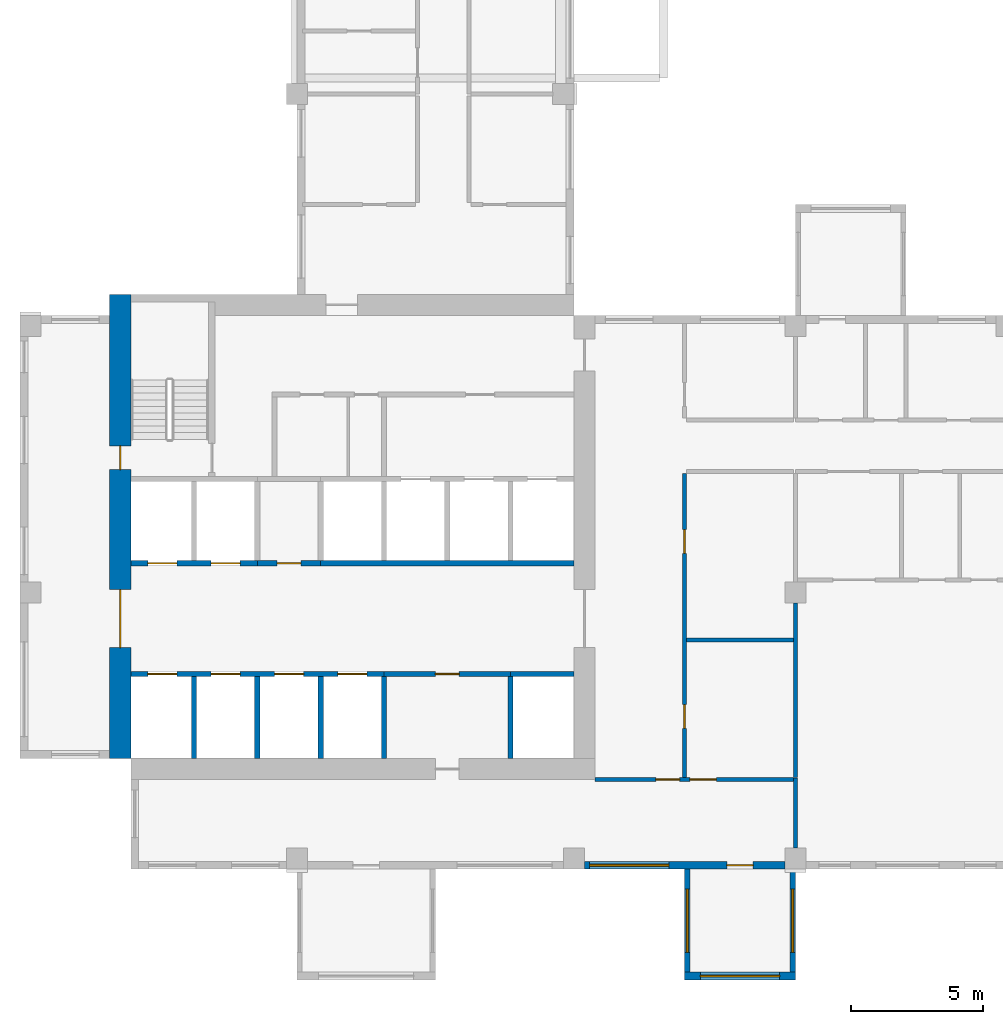
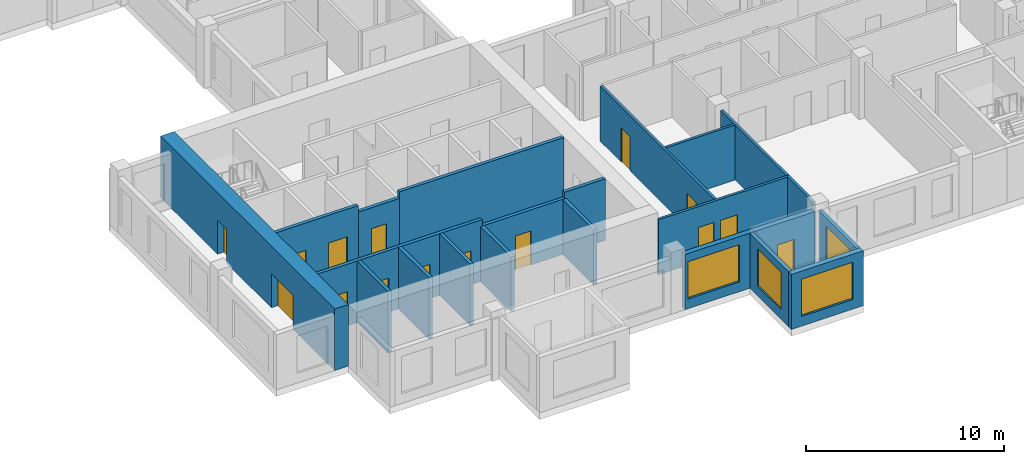
# One storey, part 2 of 12: 21 walls, 15 doors, 4 windows, 19 openings.
"""IFC4 building model written with IfcOpenShell, lengths in metres."""

from ifc_helpers import new_model, si_unit, direction, frame, frame_2d, origin, place, context, subcontext, project, spatial, rectangle, extrude, source, transform, mapped, material, layer, layer_set, type_object, element, fill, save


model = new_model("IFC4")

# Units and contexts
model_context = context("Model", 3, precision=1e-05, world=origin(), true_north=direction((0.0, 1.0)))
body_context = subcontext(model_context, "Body", "Model", "MODEL_VIEW")
ifc_project = project(units=[si_unit("LENGTHUNIT", "METRE"), si_unit("AREAUNIT", "SQUARE_METRE"), si_unit("VOLUMEUNIT", "CUBIC_METRE"), si_unit("PLANEANGLEUNIT", "RADIAN"), si_unit("MASSUNIT", "GRAM", prefix="KILO")], contexts=[model_context])

# Site, building, storey
site_placement = place(None, origin())
site = spatial("IfcSite", under=ifc_project, at=site_placement, CompositionType="ELEMENT")
building_placement = place(site_placement, origin())
building = spatial("IfcBuilding", under=site, at=building_placement, Name="Aurelian Terraces", CompositionType="ELEMENT")
storey_placement = place(building_placement, frame((0.0, 0.0, 234.8)))
storey = spatial("IfcBuildingStorey", under=building, at=storey_placement, Name="L53", CompositionType="ELEMENT", Elevation=234.8)

# Wall, openings, doors
ifc_material_1 = material(Name="Concrete fc' 70 MPa", Category="concrete")
ifc_layer_1 = layer(ifc_material_1, 0.8)
ifc_layer_set_1 = layer_set([ifc_layer_1], Name="CORE WALL 800 FC70")
wall_type_1 = type_object("IfcWallType", Name="CORE WALL 800 FC70", PredefinedType="SHEAR", material=ifc_layer_set_1)
shared_shape_1 = source(origin(), body_context, "Body", "SweptSolid", [
    extrude(rectangle(XDim=17.6, YDim=0.8, at=frame_2d((8.8, 0.0))), origin(), (0.0, 0.0, 1.0), 3.8),
])
wall_1_placement = place(storey_placement, frame((3.8, 4.2, 0.0), z_axis=(0.0, 0.0, 1.0), x_axis=(0.0, 1.0, 0.0)))
wall_1 = element("IfcWall", 1, at=wall_1_placement, inside=storey, type_object=wall_type_1, Name="Core wall W L53", PredefinedType="SHEAR", context=body_context, shape_type="MappedRepresentation", body=[
    mapped(shared_shape_1, transform((0.0, 0.0, 0.0), scale=1.0)),
])
shared_shape_2 = source(origin(), body_context, "Body", "SweptSolid", [
    extrude(rectangle(XDim=2.2, YDim=2.1, at=frame_2d((1.1, 1.05))), frame((0.0, 0.41, 0.0), z_axis=(0.0, -1.0, 0.0), x_axis=(1.0, 0.0, 0.0)), (0.0, 0.0, 1.0), 0.82),
])
opening_1_placement = place(wall_1_placement, frame((4.2, 0.0, 0.0)))
opening_1 = element("IfcOpeningElement", 2, at=opening_1_placement, cuts=wall_1, Name="Opening 65622", PredefinedType="OPENING", context=body_context, shape_type="MappedRepresentation", body=[
    mapped(shared_shape_2, transform((0.0, 0.0, 0.0), scale=1.0)),
])
shared_shape_3 = source(origin(), body_context, "Body", "SweptSolid", [
    extrude(rectangle(XDim=0.9, YDim=2.1, at=frame_2d((0.45, 1.05))), frame((0.0, 0.41, 0.0), z_axis=(0.0, -1.0, 0.0), x_axis=(1.0, 0.0, 0.0)), (0.0, 0.0, 1.0), 0.82),
])
opening_2_placement = place(wall_1_placement, frame((10.95, 0.0, 0.0)))
opening_2 = element("IfcOpeningElement", 3, at=opening_2_placement, cuts=wall_1, Name="Opening 65626", PredefinedType="OPENING", context=body_context, shape_type="MappedRepresentation", body=[
    mapped(shared_shape_3, transform((0.0, 0.0, 0.0), scale=1.0)),
])
ifc_material_2 = material(Name="Steel door leaf", Category="steel")
door_type_1 = type_object("IfcDoorType", Name="Core service door 900x2100 right", OperationType="SINGLE_SWING_RIGHT", PredefinedType="DOOR", material=ifc_material_2)
shared_shape_4 = source(origin(), body_context, "Body", "SweptSolid", [
    extrude(rectangle(XDim=0.9, YDim=2.1, at=frame_2d((0.45, 1.05))), frame((0.0, 0.025, 0.0), z_axis=(0.0, -1.0, 0.0), x_axis=(1.0, 0.0, 0.0)), (0.0, 0.0, 1.0), 0.05),
])
door_1_placement = place(opening_2_placement, origin())
door_1 = element("IfcDoor", 4, at=door_1_placement, inside=storey, type_object=door_type_1, Name="Core door 65626", OperationType="SINGLE_SWING_RIGHT", OverallHeight=2.1, OverallWidth=0.9, PredefinedType="DOOR", context=body_context, shape_type="MappedRepresentation", body=[
    mapped(shared_shape_4, transform((0.0, 0.0, 0.0), scale=1.0)),
])
fill(opening_2, door_1)
door_type_2 = type_object("IfcDoorType", Name="Core double door 2200x2100", OperationType="DOUBLE_DOOR_SINGLE_SWING", PredefinedType="DOOR", material=ifc_material_2)
shared_shape_5 = source(origin(), body_context, "Body", "SweptSolid", [
    extrude(rectangle(XDim=2.2, YDim=2.1, at=frame_2d((1.1, 1.05))), frame((0.0, 0.025, 0.0), z_axis=(0.0, -1.0, 0.0), x_axis=(1.0, 0.0, 0.0)), (0.0, 0.0, 1.0), 0.05),
])
door_2_placement = place(opening_1_placement, origin())
door_2 = element("IfcDoor", 5, at=door_2_placement, inside=storey, type_object=door_type_2, Name="Core door 65622", OperationType="DOUBLE_DOOR_SINGLE_SWING", OverallHeight=2.1, OverallWidth=2.2, PredefinedType="DOOR", context=body_context, shape_type="MappedRepresentation", body=[
    mapped(shared_shape_5, transform((0.0, 0.0, 0.0), scale=1.0)),
])
fill(opening_1, door_2)

# Wall, opening, window
ifc_material_3 = material(Name="Concrete fc' 40 MPa", Category="concrete")
ifc_layer_2 = layer(ifc_material_3, 0.2)
ifc_layer_set_2 = layer_set([ifc_layer_2], Name="BOX BEARING WALL 200")
wall_type_2 = type_object("IfcWallType", Name="BOX BEARING WALL 200", PredefinedType="SOLIDWALL", material=ifc_layer_set_2)
shared_shape_6 = source(origin(), body_context, "Body", "SweptSolid", [
    extrude(rectangle(XDim=3.9, YDim=0.2, at=frame_2d((1.95, 0.0))), origin(), (0.0, 0.0, 1.0), 3.4),
])
wall_2_placement = place(storey_placement, frame((25.3, 0.0, 0.0), z_axis=(0.0, 0.0, 1.0), x_axis=(0.0, -1.0, 0.0)))
wall_2 = element("IfcWall", 6, at=wall_2_placement, inside=storey, type_object=wall_type_2, Name="Box return L53 J76.1", PredefinedType="SOLIDWALL", context=body_context, shape_type="MappedRepresentation", body=[
    mapped(shared_shape_6, transform((0.0, 0.0, 0.0), scale=1.0)),
])
shared_shape_7 = source(origin(), body_context, "Body", "SweptSolid", [
    extrude(rectangle(XDim=2.4, YDim=2.3, at=frame_2d((1.2, 1.15))), frame((0.0, 0.11, 0.0), z_axis=(0.0, -1.0, 0.0), x_axis=(1.0, 0.0, 0.0)), (0.0, 0.0, 1.0), 0.22),
])
opening_3_placement = place(wall_2_placement, frame((0.75, 0.0, 0.6)))
opening_3 = element("IfcOpeningElement", 7, at=opening_3_placement, cuts=wall_2, Name="Opening W2423", PredefinedType="OPENING", context=body_context, shape_type="MappedRepresentation", body=[
    mapped(shared_shape_7, transform((0.0, 0.0, 0.0), scale=1.0)),
])
ifc_material_4 = material(Name="Clear glazing", Category="glass")
window_type_1 = type_object("IfcWindowType", Name="W-2400x2300", PartitioningType="SINGLE_PANEL", PredefinedType="WINDOW", material=ifc_material_4)
shared_shape_8 = source(origin(), body_context, "Body", "SweptSolid", [
    extrude(rectangle(XDim=2.4, YDim=2.3, at=frame_2d((1.2, 1.15))), frame((0.0, 0.03, 0.0), z_axis=(0.0, -1.0, 0.0), x_axis=(1.0, 0.0, 0.0)), (0.0, 0.0, 1.0), 0.06),
])
window_1_placement = place(opening_3_placement, origin())
window_1 = element("IfcWindow", 8, at=window_1_placement, inside=storey, type_object=window_type_1, Name="Window L53 J76-S1", OverallHeight=2.3, OverallWidth=2.4, PartitioningType="SINGLE_PANEL", PredefinedType="WINDOW", context=body_context, shape_type="MappedRepresentation", body=[
    mapped(shared_shape_8, transform((0.0, 0.0, 0.0), scale=1.0)),
])
fill(opening_3, window_1)

wall_3_placement = place(storey_placement, frame((29.3, 0.0, 0.0), z_axis=(0.0, 0.0, 1.0), x_axis=(0.0, -1.0, 0.0)))
wall_3 = element("IfcWall", 9, at=wall_3_placement, inside=storey, type_object=wall_type_2, Name="Box return L53 J76.2", PredefinedType="SOLIDWALL", context=body_context, shape_type="MappedRepresentation", body=[
    mapped(shared_shape_6, transform((0.0, 0.0, 0.0), scale=1.0)),
])
opening_4_placement = place(wall_3_placement, frame((0.75, 0.0, 0.6)))
opening_4 = element("IfcOpeningElement", 10, at=opening_4_placement, cuts=wall_3, Name="Opening W2423", PredefinedType="OPENING", context=body_context, shape_type="MappedRepresentation", body=[
    mapped(shared_shape_7, transform((0.0, 0.0, 0.0), scale=1.0)),
])
window_2_placement = place(opening_4_placement, origin())
window_2 = element("IfcWindow", 11, at=window_2_placement, inside=storey, type_object=window_type_1, Name="Window L53 J76-S2", OverallHeight=2.3, OverallWidth=2.4, PartitioningType="SINGLE_PANEL", PredefinedType="WINDOW", context=body_context, shape_type="MappedRepresentation", body=[
    mapped(shared_shape_8, transform((0.0, 0.0, 0.0), scale=1.0)),
])
fill(opening_4, window_2)

ifc_layer_3 = layer(ifc_material_3, 0.3)
ifc_layer_set_3 = layer_set([ifc_layer_3], Name="BOX BEARING WALL 300")
wall_type_3 = type_object("IfcWallType", Name="BOX BEARING WALL 300", PredefinedType="SOLIDWALL", material=ifc_layer_set_3)
shared_shape_9 = source(origin(), body_context, "Body", "SweptSolid", [
    extrude(rectangle(XDim=4.2, YDim=0.3, at=frame_2d((2.1, 0.0))), origin(), (0.0, 0.0, 1.0), 3.4),
])
wall_4_placement = place(storey_placement, frame((25.2, -4.05, 0.0), z_axis=(0.0, 0.0, 1.0), x_axis=(1.0, 0.0, 0.0)))
wall_4 = element("IfcWall", 12, at=wall_4_placement, inside=storey, type_object=wall_type_3, Name="Box wall L53 J76", PredefinedType="SOLIDWALL", context=body_context, shape_type="MappedRepresentation", body=[
    mapped(shared_shape_9, transform((0.0, 0.0, 0.0), scale=1.0)),
])
shared_shape_10 = source(origin(), body_context, "Body", "SweptSolid", [
    extrude(rectangle(XDim=3.0, YDim=2.3, at=frame_2d((1.5, 1.15))), frame((0.0, 0.16, 0.0), z_axis=(0.0, -1.0, 0.0), x_axis=(1.0, 0.0, 0.0)), (0.0, 0.0, 1.0), 0.32),
])
opening_5_placement = place(wall_4_placement, frame((0.6, 0.0, 0.6)))
opening_5 = element("IfcOpeningElement", 13, at=opening_5_placement, cuts=wall_4, Name="Opening W3023", PredefinedType="OPENING", context=body_context, shape_type="MappedRepresentation", body=[
    mapped(shared_shape_10, transform((0.0, 0.0, 0.0), scale=1.0)),
])
window_type_2 = type_object("IfcWindowType", Name="W-3000x2300", PartitioningType="SINGLE_PANEL", PredefinedType="WINDOW", material=ifc_material_4)
shared_shape_11 = source(origin(), body_context, "Body", "SweptSolid", [
    extrude(rectangle(XDim=3.0, YDim=2.3, at=frame_2d((1.5, 1.15))), frame((0.0, 0.03, 0.0), z_axis=(0.0, -1.0, 0.0), x_axis=(1.0, 0.0, 0.0)), (0.0, 0.0, 1.0), 0.06),
])
window_3_placement = place(opening_5_placement, origin())
window_3 = element("IfcWindow", 14, at=window_3_placement, inside=storey, type_object=window_type_2, Name="Window L53 J76-F1", OverallHeight=2.3, OverallWidth=3.0, PartitioningType="SINGLE_PANEL", PredefinedType="WINDOW", context=body_context, shape_type="MappedRepresentation", body=[
    mapped(shared_shape_11, transform((0.0, 0.0, 0.0), scale=1.0)),
])
fill(opening_5, window_3)

# Wall, openings, window, door
ifc_material_5 = material(Name="Terracotta rainscreen cladding", Category="masonry")
ifc_layer_4 = layer(ifc_material_5, 0.3)
ifc_layer_set_4 = layer_set([ifc_layer_4], Name="EW-300")
wall_type_4 = type_object("IfcWallType", Name="EW-300", PredefinedType="STANDARD", material=ifc_layer_set_4)
shared_shape_12 = source(origin(), body_context, "Body", "SweptSolid", [
    extrude(rectangle(XDim=7.6, YDim=0.3, at=frame_2d((3.8, 0.0))), origin(), (0.0, 0.0, 1.0), 3.4),
])
wall_5_placement = place(storey_placement, frame((21.4, 0.15, 0.0), z_axis=(0.0, 0.0, 1.0), x_axis=(1.0, 0.0, 0.0)))
wall_5 = element("IfcWall", 15, at=wall_5_placement, inside=storey, type_object=wall_type_4, Name="External wall L53 F01.3", PredefinedType="STANDARD", context=body_context, shape_type="MappedRepresentation", body=[
    mapped(shared_shape_12, transform((0.0, 0.0, 0.0), scale=1.0)),
])
opening_6_placement = place(wall_5_placement, frame((0.2, 0.0, 0.6)))
opening_6 = element("IfcOpeningElement", 16, at=opening_6_placement, cuts=wall_5, Name="Opening W3023", PredefinedType="OPENING", context=body_context, shape_type="MappedRepresentation", body=[
    mapped(shared_shape_10, transform((0.0, 0.0, 0.0), scale=1.0)),
])
shared_shape_13 = source(origin(), body_context, "Body", "SweptSolid", [
    extrude(rectangle(XDim=1.0, YDim=2.1, at=frame_2d((0.5, 1.05))), frame((0.0, 0.16, 0.0), z_axis=(0.0, -1.0, 0.0), x_axis=(1.0, 0.0, 0.0)), (0.0, 0.0, 1.0), 0.32),
])
opening_7_placement = place(wall_5_placement, frame((5.4, 0.0, 0.0)))
opening_7 = element("IfcOpeningElement", 17, at=opening_7_placement, cuts=wall_5, Name="Opening 853002", PredefinedType="OPENING", context=body_context, shape_type="MappedRepresentation", body=[
    mapped(shared_shape_13, transform((0.0, 0.0, 0.0), scale=1.0)),
])
window_4_placement = place(opening_6_placement, origin())
window_4 = element("IfcWindow", 18, at=window_4_placement, inside=storey, type_object=window_type_2, Name="Window L53 L53-F01-03-0", OverallHeight=2.3, OverallWidth=3.0, PartitioningType="SINGLE_PANEL", PredefinedType="WINDOW", context=body_context, shape_type="MappedRepresentation", body=[
    mapped(shared_shape_11, transform((0.0, 0.0, 0.0), scale=1.0)),
])
fill(opening_6, window_4)
ifc_material_6 = material(Name="Timber door leaf", Category="wood")
door_type_3 = type_object("IfcDoorType", Name="Room door 1000x2100 left", OperationType="SINGLE_SWING_LEFT", PredefinedType="DOOR", material=ifc_material_6)
shared_shape_14 = source(origin(), body_context, "Body", "SweptSolid", [
    extrude(rectangle(XDim=1.0, YDim=2.1, at=frame_2d((0.5, 1.05))), frame((0.0, 0.025, 0.0), z_axis=(0.0, -1.0, 0.0), x_axis=(1.0, 0.0, 0.0)), (0.0, 0.0, 1.0), 0.05),
])
door_3_placement = place(opening_7_placement, origin())
door_3 = element("IfcDoor", 19, at=door_3_placement, inside=storey, type_object=door_type_3, Name="Door 853002", OperationType="SINGLE_SWING_LEFT", OverallHeight=2.1, OverallWidth=1.0, PredefinedType="DOOR", context=body_context, shape_type="MappedRepresentation", body=[
    mapped(shared_shape_14, transform((0.0, 0.0, 0.0), scale=1.0)),
])
fill(opening_7, door_3)

# Walls
ifc_layer_5 = layer(ifc_material_3, 0.2)
ifc_layer_set_5 = layer_set([ifc_layer_5], Name="Lift shaft wall 200")
wall_type_5 = type_object("IfcWallType", Name="Lift shaft wall 200", PredefinedType="SOLIDWALL", material=ifc_layer_set_5)
shared_shape_15 = source(origin(), body_context, "Body", "SweptSolid", [
    extrude(rectangle(XDim=3.1, YDim=0.2, at=frame_2d((1.55, 0.0))), origin(), (0.0, 0.0, 1.0), 3.8),
])
for number, where, z_axis, x_axis, name in (
    (20, (6.6, 4.2, 0.0), (0.0, 0.0, 1.0), (0.0, 1.0, 0.0), "L53 core wall CD-A1"),
    (21, (9.0, 4.2, 0.0), (0.0, 0.0, 1.0), (0.0, 1.0, 0.0), "L53 core wall CD-A2"),
    (22, (11.4, 4.2, 0.0), (0.0, 0.0, 1.0), (0.0, 1.0, 0.0), "L53 core wall CD-A3"),
):
    element("IfcWall", number, at=place(storey_placement, frame(where, z_axis=z_axis, x_axis=x_axis)), inside=storey, type_object=wall_type_5, Name=name, PredefinedType="SOLIDWALL", context=body_context, shape_type="MappedRepresentation", body=[
        mapped(shared_shape_15, transform((0.0, 0.0, 0.0), scale=1.0)),
    ])
shared_shape_16 = source(origin(), body_context, "Body", "SweptSolid", [
    extrude(rectangle(XDim=3.1, YDim=0.2, at=frame_2d((1.55, 0.0))), origin(), (0.0, 0.0, 1.0), 3.4),
])
for number, where, z_axis, x_axis, name in (
    (23, (13.8, 4.2, 0.0), (0.0, 0.0, 1.0), (0.0, 1.0, 0.0), "L53 core wall CD-A4"),
    (24, (18.6, 4.2, 0.0), (0.0, 0.0, 1.0), (0.0, 1.0, 0.0), "L53 core wall CD-A6"),
):
    element("IfcWall", number, at=place(storey_placement, frame(where, z_axis=z_axis, x_axis=x_axis)), inside=storey, type_object=wall_type_5, Name=name, PredefinedType="SOLIDWALL", context=body_context, shape_type="MappedRepresentation", body=[
        mapped(shared_shape_16, transform((0.0, 0.0, 0.0), scale=1.0)),
    ])

# Wall, openings, doors
shared_shape_17 = source(origin(), body_context, "Body", "SweptSolid", [
    extrude(rectangle(XDim=9.6, YDim=0.2, at=frame_2d((4.8, 0.0))), origin(), (0.0, 0.0, 1.0), 3.8),
])
wall_6_placement = place(storey_placement, frame((4.2, 7.4, 0.0), z_axis=(0.0, 0.0, 1.0), x_axis=(1.0, 0.0, 0.0)))
wall_6 = element("IfcWall", 25, at=wall_6_placement, inside=storey, type_object=wall_type_5, Name="L53 core wall CF-AF1", PredefinedType="SOLIDWALL", context=body_context, shape_type="MappedRepresentation", body=[
    mapped(shared_shape_17, transform((0.0, 0.0, 0.0), scale=1.0)),
])
shared_shape_18 = source(origin(), body_context, "Body", "SweptSolid", [
    extrude(rectangle(XDim=1.1, YDim=2.1, at=frame_2d((0.55, 1.05))), frame((0.0, 0.11, 0.0), z_axis=(0.0, -1.0, 0.0), x_axis=(1.0, 0.0, 0.0)), (0.0, 0.0, 1.0), 0.22),
])
opening_8_placement = place(wall_6_placement, frame((0.65, 0.0, 0.0)))
opening_8 = element("IfcOpeningElement", 26, at=opening_8_placement, cuts=wall_6, Name="Opening 65600", PredefinedType="OPENING", context=body_context, shape_type="MappedRepresentation", body=[
    mapped(shared_shape_18, transform((0.0, 0.0, 0.0), scale=1.0)),
])
opening_9_placement = place(wall_6_placement, frame((3.05, 0.0, 0.0)))
opening_9 = element("IfcOpeningElement", 27, at=opening_9_placement, cuts=wall_6, Name="Opening 65601", PredefinedType="OPENING", context=body_context, shape_type="MappedRepresentation", body=[
    mapped(shared_shape_18, transform((0.0, 0.0, 0.0), scale=1.0)),
])
opening_10_placement = place(wall_6_placement, frame((5.45, 0.0, 0.0)))
opening_10 = element("IfcOpeningElement", 28, at=opening_10_placement, cuts=wall_6, Name="Opening 65602", PredefinedType="OPENING", context=body_context, shape_type="MappedRepresentation", body=[
    mapped(shared_shape_18, transform((0.0, 0.0, 0.0), scale=1.0)),
])
opening_11_placement = place(wall_6_placement, frame((7.85, 0.0, 0.0)))
opening_11 = element("IfcOpeningElement", 29, at=opening_11_placement, cuts=wall_6, Name="Opening 65603", PredefinedType="OPENING", context=body_context, shape_type="MappedRepresentation", body=[
    mapped(shared_shape_18, transform((0.0, 0.0, 0.0), scale=1.0)),
])
ifc_material_7 = material(Name="Stainless steel", Category="steel")
door_type_4 = type_object("IfcDoorType", Name="Lift landing door 1100x2100", OperationType="SLIDING_TO_LEFT", PredefinedType="DOOR", material=ifc_material_7)
shared_shape_19 = source(origin(), body_context, "Body", "SweptSolid", [
    extrude(rectangle(XDim=1.1, YDim=2.1, at=frame_2d((0.55, 1.05))), frame((0.0, 0.025, 0.0), z_axis=(0.0, -1.0, 0.0), x_axis=(1.0, 0.0, 0.0)), (0.0, 0.0, 1.0), 0.05),
])
door_4_placement = place(opening_8_placement, origin())
door_4 = element("IfcDoor", 30, at=door_4_placement, inside=storey, type_object=door_type_4, Name="Lift landing door LM1 L53", OperationType="SLIDING_TO_LEFT", OverallHeight=2.1, OverallWidth=1.1, PredefinedType="DOOR", context=body_context, shape_type="MappedRepresentation", body=[
    mapped(shared_shape_19, transform((0.0, 0.0, 0.0), scale=1.0)),
])
fill(opening_8, door_4)
door_5_placement = place(opening_9_placement, origin())
door_5 = element("IfcDoor", 31, at=door_5_placement, inside=storey, type_object=door_type_4, Name="Lift landing door LM2 L53", OperationType="SLIDING_TO_LEFT", OverallHeight=2.1, OverallWidth=1.1, PredefinedType="DOOR", context=body_context, shape_type="MappedRepresentation", body=[
    mapped(shared_shape_19, transform((0.0, 0.0, 0.0), scale=1.0)),
])
fill(opening_9, door_5)
door_6_placement = place(opening_10_placement, origin())
door_6 = element("IfcDoor", 32, at=door_6_placement, inside=storey, type_object=door_type_4, Name="Lift landing door LM3 L53", OperationType="SLIDING_TO_LEFT", OverallHeight=2.1, OverallWidth=1.1, PredefinedType="DOOR", context=body_context, shape_type="MappedRepresentation", body=[
    mapped(shared_shape_19, transform((0.0, 0.0, 0.0), scale=1.0)),
])
fill(opening_10, door_6)
door_7_placement = place(opening_11_placement, origin())
door_7 = element("IfcDoor", 33, at=door_7_placement, inside=storey, type_object=door_type_4, Name="Lift landing door LM4 L53", OperationType="SLIDING_TO_LEFT", OverallHeight=2.1, OverallWidth=1.1, PredefinedType="DOOR", context=body_context, shape_type="MappedRepresentation", body=[
    mapped(shared_shape_19, transform((0.0, 0.0, 0.0), scale=1.0)),
])
fill(opening_11, door_7)

# Wall
wall_7_placement = place(storey_placement, frame((11.4, 11.6, 0.0), z_axis=(0.0, 0.0, 1.0), x_axis=(1.0, 0.0, 0.0)))
element("IfcWall", 34, at=wall_7_placement, inside=storey, type_object=wall_type_5, Name="L53 core wall CF-BF3", PredefinedType="SOLIDWALL", context=body_context, shape_type="MappedRepresentation", body=[
    mapped(shared_shape_17, transform((0.0, 0.0, 0.0), scale=1.0)),
])

# Wall, openings, doors
shared_shape_20 = source(origin(), body_context, "Body", "SweptSolid", [
    extrude(rectangle(XDim=4.8, YDim=0.2, at=frame_2d((2.4, 0.0))), origin(), (0.0, 0.0, 1.0), 3.8),
])
wall_8_placement = place(storey_placement, frame((4.2, 11.6, 0.0), z_axis=(0.0, 0.0, 1.0), x_axis=(1.0, 0.0, 0.0)))
wall_8 = element("IfcWall", 35, at=wall_8_placement, inside=storey, type_object=wall_type_5, Name="L53 core wall CF-BF1", PredefinedType="SOLIDWALL", context=body_context, shape_type="MappedRepresentation", body=[
    mapped(shared_shape_20, transform((0.0, 0.0, 0.0), scale=1.0)),
])
opening_12_placement = place(wall_8_placement, frame((0.65, 0.0, 0.0)))
opening_12 = element("IfcOpeningElement", 36, at=opening_12_placement, cuts=wall_8, Name="Opening 65605", PredefinedType="OPENING", context=body_context, shape_type="MappedRepresentation", body=[
    mapped(shared_shape_18, transform((0.0, 0.0, 0.0), scale=1.0)),
])
opening_13_placement = place(wall_8_placement, frame((3.05, 0.0, 0.0)))
opening_13 = element("IfcOpeningElement", 37, at=opening_13_placement, cuts=wall_8, Name="Opening 65606", PredefinedType="OPENING", context=body_context, shape_type="MappedRepresentation", body=[
    mapped(shared_shape_18, transform((0.0, 0.0, 0.0), scale=1.0)),
])
door_8_placement = place(opening_12_placement, origin())
door_8 = element("IfcDoor", 38, at=door_8_placement, inside=storey, type_object=door_type_4, Name="Lift landing door LM5 L53", OperationType="SLIDING_TO_LEFT", OverallHeight=2.1, OverallWidth=1.1, PredefinedType="DOOR", context=body_context, shape_type="MappedRepresentation", body=[
    mapped(shared_shape_19, transform((0.0, 0.0, 0.0), scale=1.0)),
])
fill(opening_12, door_8)
door_9_placement = place(opening_13_placement, origin())
door_9 = element("IfcDoor", 39, at=door_9_placement, inside=storey, type_object=door_type_4, Name="Lift landing door LM6 L53", OperationType="SLIDING_TO_LEFT", OverallHeight=2.1, OverallWidth=1.1, PredefinedType="DOOR", context=body_context, shape_type="MappedRepresentation", body=[
    mapped(shared_shape_19, transform((0.0, 0.0, 0.0), scale=1.0)),
])
fill(opening_13, door_9)

# Wall, opening, door
shared_shape_21 = source(origin(), body_context, "Body", "SweptSolid", [
    extrude(rectangle(XDim=2.4, YDim=0.2, at=frame_2d((1.2, 0.0))), origin(), (0.0, 0.0, 1.0), 3.4),
])
wall_9_placement = place(storey_placement, frame((9.0, 11.6, 0.0), z_axis=(0.0, 0.0, 1.0), x_axis=(1.0, 0.0, 0.0)))
wall_9 = element("IfcWall", 40, at=wall_9_placement, inside=storey, type_object=wall_type_5, Name="L53 core wall CF-BF2", PredefinedType="SOLIDWALL", context=body_context, shape_type="MappedRepresentation", body=[
    mapped(shared_shape_21, transform((0.0, 0.0, 0.0), scale=1.0)),
])
shared_shape_22 = source(origin(), body_context, "Body", "SweptSolid", [
    extrude(rectangle(XDim=0.9, YDim=2.1, at=frame_2d((0.45, 1.05))), frame((0.0, 0.11, 0.0), z_axis=(0.0, -1.0, 0.0), x_axis=(1.0, 0.0, 0.0)), (0.0, 0.0, 1.0), 0.22),
])
opening_14_placement = place(wall_9_placement, frame((0.75, 0.0, 0.0)))
opening_14 = element("IfcOpeningElement", 41, at=opening_14_placement, cuts=wall_9, Name="Opening 65607", PredefinedType="OPENING", context=body_context, shape_type="MappedRepresentation", body=[
    mapped(shared_shape_22, transform((0.0, 0.0, 0.0), scale=1.0)),
])
door_10_placement = place(opening_14_placement, origin())
door_10 = element("IfcDoor", 42, at=door_10_placement, inside=storey, type_object=door_type_1, Name="Room door 65607", OperationType="SINGLE_SWING_RIGHT", OverallHeight=2.1, OverallWidth=0.9, PredefinedType="DOOR", context=body_context, shape_type="MappedRepresentation", body=[
    mapped(shared_shape_4, transform((0.0, 0.0, 0.0), scale=1.0)),
])
fill(opening_14, door_10)

shared_shape_23 = source(origin(), body_context, "Body", "SweptSolid", [
    extrude(rectangle(XDim=4.8, YDim=0.2, at=frame_2d((2.4, 0.0))), origin(), (0.0, 0.0, 1.0), 3.4),
])
wall_10_placement = place(storey_placement, frame((13.8, 7.4, 0.0), z_axis=(0.0, 0.0, 1.0), x_axis=(1.0, 0.0, 0.0)))
wall_10 = element("IfcWall", 43, at=wall_10_placement, inside=storey, type_object=wall_type_5, Name="L53 core wall CF-AF2", PredefinedType="SOLIDWALL", context=body_context, shape_type="MappedRepresentation", body=[
    mapped(shared_shape_23, transform((0.0, 0.0, 0.0), scale=1.0)),
])
opening_15_placement = place(wall_10_placement, frame((1.95, 0.0, 0.0)))
opening_15 = element("IfcOpeningElement", 44, at=opening_15_placement, cuts=wall_10, Name="Opening 65604", PredefinedType="OPENING", context=body_context, shape_type="MappedRepresentation", body=[
    mapped(shared_shape_22, transform((0.0, 0.0, 0.0), scale=1.0)),
])
door_type_5 = type_object("IfcDoorType", Name="Core service door 900x2100", OperationType="SINGLE_SWING_LEFT", PredefinedType="DOOR", material=ifc_material_2)
door_11_placement = place(opening_15_placement, origin())
door_11 = element("IfcDoor", 45, at=door_11_placement, inside=storey, type_object=door_type_5, Name="Room door 65604", OperationType="SINGLE_SWING_LEFT", OverallHeight=2.1, OverallWidth=0.9, PredefinedType="DOOR", context=body_context, shape_type="MappedRepresentation", body=[
    mapped(shared_shape_4, transform((0.0, 0.0, 0.0), scale=1.0)),
])
fill(opening_15, door_11)

# Wall
shared_shape_24 = source(origin(), body_context, "Body", "SweptSolid", [
    extrude(rectangle(XDim=2.4, YDim=0.2, at=frame_2d((1.2, 0.0))), origin(), (0.0, 0.0, 1.0), 3.8),
])
wall_11_placement = place(storey_placement, frame((18.6, 7.4, 0.0), z_axis=(0.0, 0.0, 1.0), x_axis=(1.0, 0.0, 0.0)))
element("IfcWall", 46, at=wall_11_placement, inside=storey, type_object=wall_type_5, Name="L53 core wall CF-AF3", PredefinedType="SOLIDWALL", context=body_context, shape_type="MappedRepresentation", body=[
    mapped(shared_shape_24, transform((0.0, 0.0, 0.0), scale=1.0)),
])

# Wall, openings, doors
ifc_material_8 = material(Name="Gypsum board on steel studs", Category="steel")
ifc_layer_6 = layer(ifc_material_8, 0.15)
ifc_layer_set_6 = layer_set([ifc_layer_6], Name="Partition 150")
wall_type_6 = type_object("IfcWallType", Name="Partition 150", PredefinedType="PARTITIONING", material=ifc_layer_set_6)
shared_shape_25 = source(origin(), body_context, "Body", "SweptSolid", [
    extrude(rectangle(XDim=11.525, YDim=0.15, at=frame_2d((5.7625, 0.0))), origin(), (0.0, 0.0, 1.0), 3.4),
])
wall_12_placement = place(storey_placement, frame((25.2, 15.0, 0.0), z_axis=(0.0, 0.0, 1.0), x_axis=(0.0, -1.0, 0.0)))
wall_12 = element("IfcWall", 47, at=wall_12_placement, inside=storey, type_object=wall_type_6, Name="Partition", PredefinedType="PARTITIONING", context=body_context, shape_type="MappedRepresentation", body=[
    mapped(shared_shape_25, transform((0.0, 0.0, 0.0), scale=1.0)),
])
shared_shape_26 = source(origin(), body_context, "Body", "SweptSolid", [
    extrude(rectangle(XDim=0.9, YDim=2.1, at=frame_2d((0.45, 1.05))), frame((0.0, 0.085, 0.0), z_axis=(0.0, -1.0, 0.0), x_axis=(1.0, 0.0, 0.0)), (0.0, 0.0, 1.0), 0.17),
])
opening_16_placement = place(wall_12_placement, frame((8.7625, 0.0, 0.0)))
opening_16 = element("IfcOpeningElement", 48, at=opening_16_placement, cuts=wall_12, Name="Opening 753001", PredefinedType="OPENING", context=body_context, shape_type="MappedRepresentation", body=[
    mapped(shared_shape_26, transform((0.0, 0.0, 0.0), scale=1.0)),
])
opening_17_placement = place(wall_12_placement, frame((2.125, 0.0, 0.0)))
opening_17 = element("IfcOpeningElement", 49, at=opening_17_placement, cuts=wall_12, Name="Opening 753002", PredefinedType="OPENING", context=body_context, shape_type="MappedRepresentation", body=[
    mapped(shared_shape_26, transform((0.0, 0.0, 0.0), scale=1.0)),
])
door_type_6 = type_object("IfcDoorType", Name="Room door 900x2100 left", OperationType="SINGLE_SWING_LEFT", PredefinedType="DOOR", material=ifc_material_6)
door_12_placement = place(opening_16_placement, origin())
door_12 = element("IfcDoor", 50, at=door_12_placement, inside=storey, type_object=door_type_6, Name="Door 753001", OperationType="SINGLE_SWING_LEFT", OverallHeight=2.1, OverallWidth=0.9, PredefinedType="DOOR", context=body_context, shape_type="MappedRepresentation", body=[
    mapped(shared_shape_4, transform((0.0, 0.0, 0.0), scale=1.0)),
])
fill(opening_16, door_12)
door_type_7 = type_object("IfcDoorType", Name="Room door 900x2100 right", OperationType="SINGLE_SWING_RIGHT", PredefinedType="DOOR", material=ifc_material_6)
door_13_placement = place(opening_17_placement, origin())
door_13 = element("IfcDoor", 51, at=door_13_placement, inside=storey, type_object=door_type_7, Name="Door 753002", OperationType="SINGLE_SWING_RIGHT", OverallHeight=2.1, OverallWidth=0.9, PredefinedType="DOOR", context=body_context, shape_type="MappedRepresentation", body=[
    mapped(shared_shape_4, transform((0.0, 0.0, 0.0), scale=1.0)),
])
fill(opening_17, door_13)

shared_shape_27 = source(origin(), body_context, "Body", "SweptSolid", [
    extrude(rectangle(XDim=7.525, YDim=0.15, at=frame_2d((3.7625, 0.0))), origin(), (0.0, 0.0, 1.0), 3.4),
])
wall_13_placement = place(storey_placement, frame((21.8, 3.4, 0.0), z_axis=(0.0, 0.0, 1.0), x_axis=(1.0, 0.0, 0.0)))
wall_13 = element("IfcWall", 52, at=wall_13_placement, inside=storey, type_object=wall_type_6, Name="Partition", PredefinedType="PARTITIONING", context=body_context, shape_type="MappedRepresentation", body=[
    mapped(shared_shape_27, transform((0.0, 0.0, 0.0), scale=1.0)),
])
shared_shape_28 = source(origin(), body_context, "Body", "SweptSolid", [
    extrude(rectangle(XDim=1.0, YDim=2.1, at=frame_2d((0.5, 1.05))), frame((0.0, 0.085, 0.0), z_axis=(0.0, -1.0, 0.0), x_axis=(1.0, 0.0, 0.0)), (0.0, 0.0, 1.0), 0.17),
])
opening_18_placement = place(wall_13_placement, frame((3.6, 0.0, 0.0)))
opening_18 = element("IfcOpeningElement", 53, at=opening_18_placement, cuts=wall_13, Name="Opening 753004", PredefinedType="OPENING", context=body_context, shape_type="MappedRepresentation", body=[
    mapped(shared_shape_28, transform((0.0, 0.0, 0.0), scale=1.0)),
])
opening_19_placement = place(wall_13_placement, frame((2.312, 0.0, 0.0)))
opening_19 = element("IfcOpeningElement", 54, at=opening_19_placement, cuts=wall_13, Name="Opening 753030", PredefinedType="OPENING", context=body_context, shape_type="MappedRepresentation", body=[
    mapped(shared_shape_26, transform((0.0, 0.0, 0.0), scale=1.0)),
])
door_type_8 = type_object("IfcDoorType", Name="Room door 1000x2100 right", OperationType="SINGLE_SWING_RIGHT", PredefinedType="DOOR", material=ifc_material_6)
door_14_placement = place(opening_18_placement, origin())
door_14 = element("IfcDoor", 55, at=door_14_placement, inside=storey, type_object=door_type_8, Name="Door 753004", OperationType="SINGLE_SWING_RIGHT", OverallHeight=2.1, OverallWidth=1.0, PredefinedType="DOOR", context=body_context, shape_type="MappedRepresentation", body=[
    mapped(shared_shape_14, transform((0.0, 0.0, 0.0), scale=1.0)),
])
fill(opening_18, door_14)
door_15_placement = place(opening_19_placement, origin())
door_15 = element("IfcDoor", 56, at=door_15_placement, inside=storey, type_object=door_type_6, Name="Door 753030", OperationType="SINGLE_SWING_LEFT", OverallHeight=2.1, OverallWidth=0.9, PredefinedType="DOOR", context=body_context, shape_type="MappedRepresentation", body=[
    mapped(shared_shape_4, transform((0.0, 0.0, 0.0), scale=1.0)),
])
fill(opening_19, door_15)

# Walls
shared_shape_29 = source(origin(), body_context, "Body", "SweptSolid", [
    extrude(rectangle(XDim=4.05, YDim=0.15, at=frame_2d((2.025, 0.0))), origin(), (0.0, 0.0, 1.0), 3.4),
])
wall_14_placement = place(storey_placement, frame((29.325, 8.7, 0.0), z_axis=(0.0, 0.0, 1.0), x_axis=(-1.0, 0.0, 0.0)))
element("IfcWall", 57, at=wall_14_placement, inside=storey, type_object=wall_type_6, Name="Partition", PredefinedType="PARTITIONING", context=body_context, shape_type="MappedRepresentation", body=[
    mapped(shared_shape_29, transform((0.0, 0.0, 0.0), scale=1.0)),
])
shared_shape_30 = source(origin(), body_context, "Body", "SweptSolid", [
    extrude(rectangle(XDim=6.626, YDim=0.15, at=frame_2d((3.313, 0.0))), origin(), (0.0, 0.0, 1.0), 3.4),
])
wall_15_placement = place(storey_placement, frame((29.4, 3.475, 0.0), z_axis=(0.0, 0.0, 1.0), x_axis=(0.0, 1.0, 0.0)))
element("IfcWall", 58, at=wall_15_placement, inside=storey, type_object=wall_type_6, Name="Partition", PredefinedType="PARTITIONING", context=body_context, shape_type="MappedRepresentation", body=[
    mapped(shared_shape_30, transform((0.0, 0.0, 0.0), scale=1.0)),
])
ifc_layer_7 = layer(ifc_material_8, 0.15)
ifc_layer_set_7 = layer_set([ifc_layer_7], Name="Fire partition 150")
wall_type_7 = type_object("IfcWallType", Name="Fire partition 150", PredefinedType="PARTITIONING", material=ifc_layer_set_7)
shared_shape_31 = source(origin(), body_context, "Body", "SweptSolid", [
    extrude(rectangle(XDim=2.656, YDim=0.15, at=frame_2d((1.328, 0.0))), origin(), (0.0, 0.0, 1.0), 3.4),
])
wall_16_placement = place(storey_placement, frame((29.4, 0.799, 0.0), z_axis=(0.0, 0.0, 1.0), x_axis=(0.0, 1.0, 0.0)))
element("IfcWall", 59, at=wall_16_placement, inside=storey, type_object=wall_type_7, Name="Party wall", PredefinedType="PARTITIONING", context=body_context, shape_type="MappedRepresentation", body=[
    mapped(shared_shape_31, transform((0.0, 0.0, 0.0), scale=1.0)),
])

save(model, "model.ifc")
